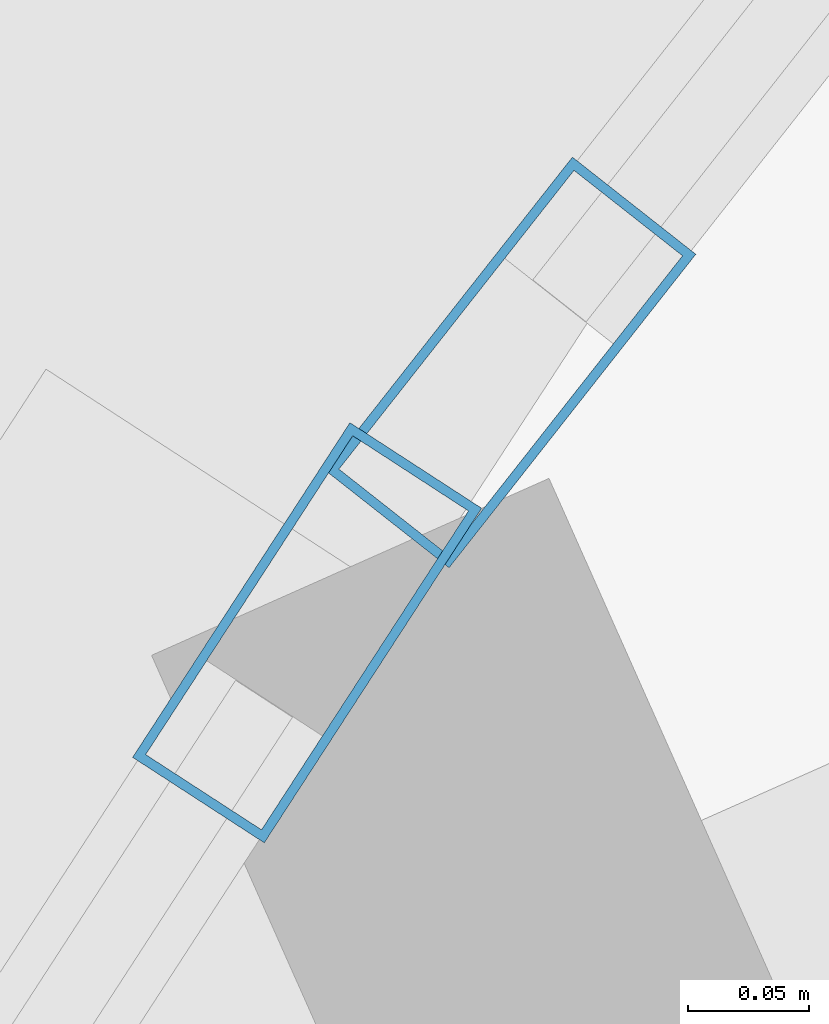
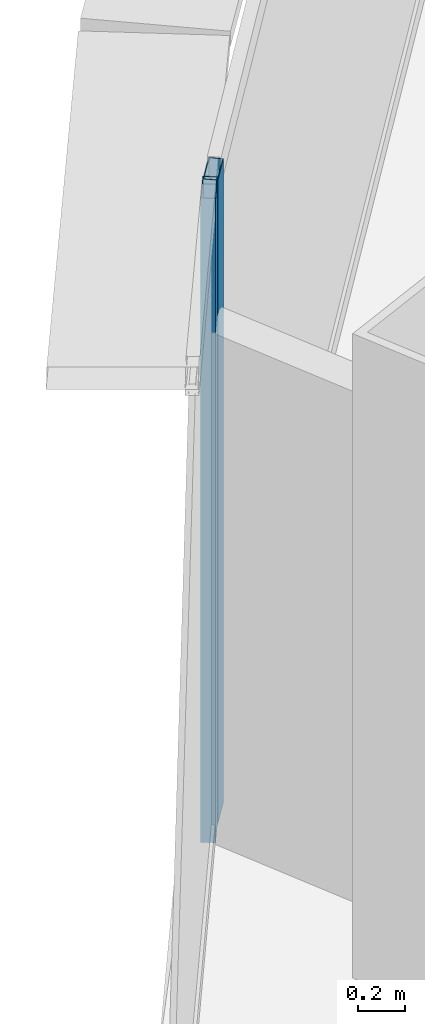
# One storey, part 18 of 42: 2 members, 2 elements without a shape of their own.
"""IFC4 building model written with IfcOpenShell, lengths in metres."""

from ifc_helpers import new_model, si_unit, direction, frame, origin, origin_2d, place, context, subcontext, project, spatial, hollow_rectangle, extrude, source, transform, mapped, material, layer, layer_set, material_profile, profile_set, type_object, element, aggregate, save


model = new_model("IFC4")

# Units and contexts
model_context = context("Model", 3, precision=1e-05, world=origin(), true_north=direction((0.0, 1.0)))
body_context = subcontext(model_context, "Body", "Model", "MODEL_VIEW")
ifc_project = project(units=[si_unit("LENGTHUNIT", "METRE"), si_unit("AREAUNIT", "SQUARE_METRE"), si_unit("VOLUMEUNIT", "CUBIC_METRE"), si_unit("PLANEANGLEUNIT", "RADIAN"), si_unit("MASSUNIT", "GRAM", prefix="KILO"), si_unit("THERMODYNAMICTEMPERATUREUNIT", "KELVIN"), si_unit("POWERUNIT", "WATT")], contexts=[model_context])

# Site, building, storey
site_placement = place(None, origin())
site = spatial("IfcSite", under=ifc_project, at=site_placement, CompositionType="ELEMENT")
building_placement = place(site_placement, origin())
building = spatial("IfcBuilding", under=site, at=building_placement, Name="Yunzhuo Pagoda Commons", CompositionType="ELEMENT")
storey_placement = place(building_placement, frame((0.0, 0.0, 41.2900390625)))
storey = spatial("IfcBuildingStorey", under=building, at=storey_placement, Name="L10", CompositionType="ELEMENT", Elevation=41.2900390625)

# Curtain wall, member
ifc_material = material(Name="Anodized aluminium 6063-T6", Category="aluminium")
ifc_layer = layer(ifc_material, 0.1650390625)
ifc_layer_set = layer_set([ifc_layer], Name="Anodized aluminium 6063-T6")
curtain_wall_type = type_object("IfcCurtainWallType", Name="CW-LOW Low-Zone Ribbon Curtain Wall", PredefinedType="NOTDEFINED", material=ifc_layer_set)
curtain_wall_1_placement = place(storey_placement, origin())
curtain_wall_1 = element("IfcCurtainWall", 1, at=curtain_wall_1_placement, inside=storey, type_object=curtain_wall_type, Name="L10 curtain wall CW-L10-F3B2", PredefinedType="NOTDEFINED")
ifc_material_profile = material_profile(ifc_material, hollow_rectangle(XDim=0.06494140625, YDim=0.1650390625, WallThickness=0.00390625, at=origin_2d()), Name="Anodized aluminium 6063-T6")
ifc_profile_set = profile_set([ifc_material_profile], Name="Anodized aluminium 6063-T6")
member_type = type_object("IfcMemberType", Name="CW-LOW-M Mullion RHS 165x65x4", PredefinedType="MULLION", material=ifc_profile_set)
shared_shape = source(origin(), body_context, "Body", "SweptSolid", [
    extrude(hollow_rectangle(XDim=0.06494140625, YDim=0.1650390625, WallThickness=0.00390625, at=origin_2d()), origin(), (0.0, 0.0, 1.0), 3.369873046875),
])
member_1_placement = place(storey_placement, frame((30.6767578125, 72.54150390625, 0.0), z_axis=(0.0, 0.0, 1.0), x_axis=(0.838709783089, -0.54457864423, 0.0)))
member_1 = element("IfcMember", 2, at=member_1_placement, type_object=member_type, Name="CW mullion 1", PredefinedType="MULLION", context=body_context, shape_type="MappedRepresentation", body=[
    mapped(shared_shape, transform((0.0, 0.0, 0.0), scale=1.0)),
])
aggregate(curtain_wall_1, [member_1])

curtain_wall_2_placement = place(storey_placement, origin())
curtain_wall_2 = element("IfcCurtainWall", 3, at=curtain_wall_2_placement, inside=storey, type_object=curtain_wall_type, Name="L10 curtain wall CW-L10-F3B1", PredefinedType="NOTDEFINED")
member_2_placement = place(storey_placement, frame((30.760986328125, 72.6533203125, 0.0), z_axis=(0.0, 0.0, 1.0), x_axis=(0.785883026265, -0.61837518468, 0.0)))
member_2 = element("IfcMember", 4, at=member_2_placement, type_object=member_type, Name="CW mullion 3", PredefinedType="MULLION", context=body_context, shape_type="MappedRepresentation", body=[
    mapped(shared_shape, transform((0.0, 0.0, 0.0), scale=1.0)),
])
aggregate(curtain_wall_2, [member_2])

save(model, "model.ifc")
